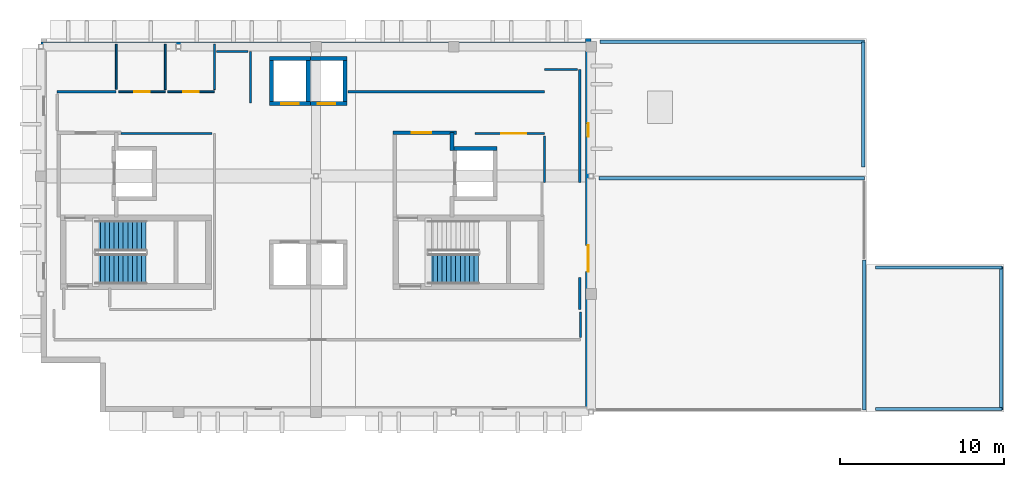
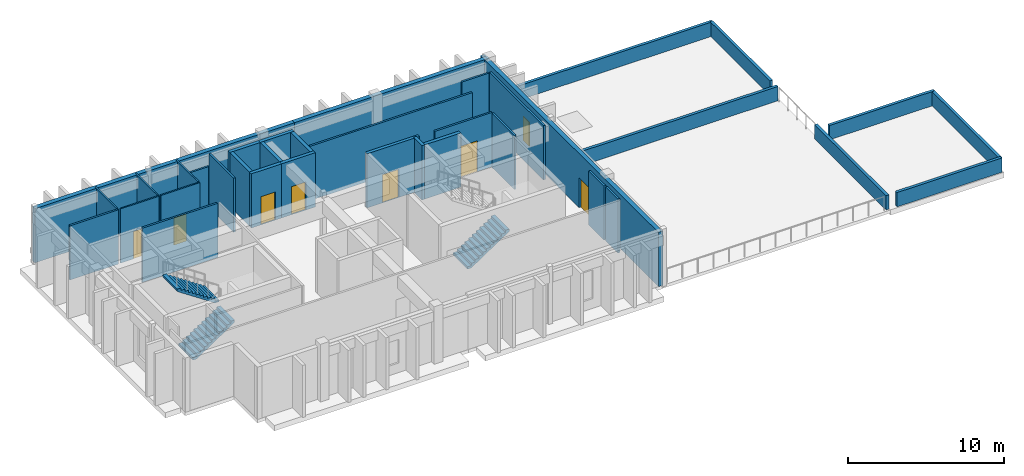
# One storey, part 4 of 7: 36 walls, 7 doors, 3 stair flights, 1 window, 8 openings, 2 elements without a shape of their own.
"""IFC4 building model written with IfcOpenShell, lengths in metres."""

from ifc_helpers import new_model, si_unit, direction, frame, frame_2d, origin, place, context, subcontext, project, spatial, polyline, rectangle, outline, extrude, material, layer, layer_set, type_object, element, fill, aggregate, save


model = new_model("IFC4")

# Units and contexts
model_context = context("Model", 3, precision=1e-05, world=origin(), true_north=direction((0.0, 1.0)))
body_context = subcontext(model_context, "Body", "Model", "MODEL_VIEW")
ifc_project = project(units=[si_unit("LENGTHUNIT", "METRE"), si_unit("AREAUNIT", "SQUARE_METRE"), si_unit("VOLUMEUNIT", "CUBIC_METRE"), si_unit("PLANEANGLEUNIT", "RADIAN"), si_unit("MASSUNIT", "GRAM", prefix="KILO")], contexts=[model_context])

# Site, building, storey
site_placement = place(None, origin())
site = spatial("IfcSite", under=ifc_project, at=site_placement, CompositionType="ELEMENT")
building_placement = place(site_placement, origin())
building = spatial("IfcBuilding", under=site, at=building_placement, Name="Quendrovan Civic Courthouse", CompositionType="ELEMENT")
storey_placement = place(building_placement, frame((0.0, 0.0, 40.199951171875)))
storey = spatial("IfcBuildingStorey", under=building, at=storey_placement, Name="L09", CompositionType="ELEMENT", Elevation=40.199951171875)

# Walls
ifc_material_1 = material(Name="Acoustic gypsum stud partition")
ifc_layer_1 = layer(ifc_material_1, 0.139892578125, Name="Acoustic gypsum stud partition")
ifc_layer_set_1 = layer_set([ifc_layer_1], Name="Acoustic gypsum stud partition")
wall_type_1 = type_object("IfcWallType", Name="WL-CHM-140", PredefinedType="PARTITIONING", material=ifc_layer_set_1)
wall_1_placement = place(storey_placement, frame((64.35009765625, 107.14990234375, 0.0), z_axis=(0.0, 0.0, 1.0), x_axis=(-1.0, 0.0, 0.0)))
element("IfcWall", 1, at=wall_1_placement, inside=storey, type_object=wall_type_1, Name="L09 Collegial Judges' Chambers Partition 0904", PredefinedType="PARTITIONING", context=body_context, shape_type="SweptSolid", body=[
    extrude(rectangle(XDim=12.0, YDim=0.139892578125, at=frame_2d((6.0, 0.0))), origin(), (0.0, 0.0, 1.0), 4.239990234375),
])
wall_2_placement = place(storey_placement, frame((66.5, 101.60009765625, 0.0), z_axis=(0.0, 0.0, 1.0), x_axis=(0.0, 1.0, 0.0)))
element("IfcWall", 2, at=wall_2_placement, inside=storey, type_object=wall_type_1, Name="L09 Collegial Judges' Chambers Partition 0906", PredefinedType="PARTITIONING", context=body_context, shape_type="SweptSolid", body=[
    extrude(rectangle(XDim=6.89990234375, YDim=0.139892578125, at=frame_2d((3.449951171875, 0.0))), origin(), (0.0, 0.0, 1.0), 4.239990234375),
])
wall_3_placement = place(storey_placement, frame((38.47998046875, 104.60009765625, 0.0), z_axis=(0.0, 0.0, 1.0), x_axis=(1.0, 0.0, 0.0)))
element("IfcWall", 3, at=wall_3_placement, inside=storey, type_object=wall_type_1, Name="L09 Collegial Judges' Chambers Partition 0908", PredefinedType="PARTITIONING", context=body_context, shape_type="SweptSolid", body=[
    extrude(rectangle(XDim=5.570068359375, YDim=0.139892578125, at=frame_2d((2.78515625, 0.0))), origin(), (0.0, 0.0, 1.0), 4.239990234375),
])

# Wall, opening, door
wall_4_placement = place(storey_placement, frame((60.10009765625, 104.60009765625, 0.0), z_axis=(0.0, 0.0, 1.0), x_axis=(1.0, 0.0, 0.0)))
wall_4 = element("IfcWall", 4, at=wall_4_placement, inside=storey, type_object=wall_type_1, Name="L09 Judicial Conference Room Partition 0909", PredefinedType="PARTITIONING", context=body_context, shape_type="SweptSolid", body=[
    extrude(rectangle(XDim=4.25, YDim=0.139892578125, at=frame_2d((2.125, 0.0))), origin(), (0.0, 0.0, 1.0), 4.239990234375),
])
opening_1_placement = place(wall_4_placement, frame((1.6201171875, 0.0, 0.0)))
opening_1 = element("IfcOpeningElement", 5, at=opening_1_placement, cuts=wall_4, Name="Opening D-L09-129", PredefinedType="OPENING", context=body_context, shape_type="SweptSolid", body=[
    extrude(rectangle(XDim=1.52001953125, YDim=2.39990234375, at=frame_2d((0.760009765625, 1.199951171875))), frame((0.0, 0.080078125, 0.0), z_axis=(0.0, -1.0, 0.0), x_axis=(1.0, 0.0, 0.0)), (0.0, 0.0, 1.0), 0.159912109375),
])
ifc_material_2 = material(Name="Acoustic timber double-leaf door", Category="wood")
door_type_1 = type_object("IfcDoorType", Name="DR-CONF-1520", OperationType="NOTDEFINED", PredefinedType="DOOR", material=ifc_material_2)
door_1_placement = place(opening_1_placement, origin())
door_1 = element("IfcDoor", 6, at=door_1_placement, inside=storey, type_object=door_type_1, Name="L09 Judicial Conference Room Door D-L09-129", OperationType="SINGLE_SWING_RIGHT", OverallHeight=2.39990234375, OverallWidth=1.52001953125, PredefinedType="DOOR", context=body_context, shape_type="SweptSolid", body=[
    extrude(rectangle(XDim=1.52001953125, YDim=2.39990234375, at=frame_2d((0.760009765625, 1.199951171875))), frame((0.0, 0.02490234375, 0.0), z_axis=(0.0, -1.0, 0.0), x_axis=(1.0, 0.0, 0.0)), (0.0, 0.0, 1.0), 0.050048828125),
])
fill(opening_1, door_1)

# Walls
wall_5_placement = place(storey_placement, frame((38.199951171875, 107.14990234375, 0.0), z_axis=(0.0, 0.0, 1.0), x_axis=(-1.0, 0.0, 0.0)))
element("IfcWall", 7, at=wall_5_placement, inside=storey, type_object=wall_type_1, Name="L09 Collegial Judges' Chambers Partition 0910", PredefinedType="PARTITIONING", context=body_context, shape_type="SweptSolid", body=[
    extrude(rectangle(XDim=3.599853515625, YDim=0.139892578125, at=frame_2d((1.7998046875, 0.0))), origin(), (0.0, 0.0, 1.0), 4.239990234375),
])
wall_6_placement = place(storey_placement, frame((46.39990234375, 106.449951171875, 0.0), z_axis=(0.0, 0.0, 1.0), x_axis=(0.0, 1.0, 0.0)))
element("IfcWall", 8, at=wall_6_placement, inside=storey, type_object=wall_type_1, Name="L09 Collegial Judges' Chambers Partition 0911", PredefinedType="PARTITIONING", context=body_context, shape_type="SweptSolid", body=[
    extrude(rectangle(XDim=3.150146484375, YDim=0.139892578125, at=frame_2d((1.5751953125, 0.0))), origin(), (0.0, 0.0, 1.0), 4.239990234375),
])
wall_7_placement = place(storey_placement, frame((64.35009765625, 104.449951171875, 0.0), z_axis=(0.0, 0.0, 1.0), x_axis=(0.0, -1.0, 0.0)))
element("IfcWall", 9, at=wall_7_placement, inside=storey, type_object=wall_type_1, Name="L09 Judicial Conference Room Partition 0914", PredefinedType="PARTITIONING", context=body_context, shape_type="SweptSolid", body=[
    extrude(rectangle(XDim=2.849853515625, YDim=0.139892578125, at=frame_2d((1.4248046875, 0.0))), origin(), (0.0, 0.0, 1.0), 4.239990234375),
])
wall_8_placement = place(storey_placement, frame((46.25, 109.60009765625, 0.0), z_axis=(0.0, 0.0, 1.0), x_axis=(-1.0, 0.0, 0.0)))
element("IfcWall", 10, at=wall_8_placement, inside=storey, type_object=wall_type_1, Name="L09 Collegial Judges' Chambers Partition 0919", PredefinedType="PARTITIONING", context=body_context, shape_type="SweptSolid", body=[
    extrude(rectangle(XDim=1.9150390625, YDim=0.139892578125, at=frame_2d((0.95751953125, 0.0))), origin(), (0.0, 0.0, 1.0), 3.300048828125),
])
wall_9_placement = place(storey_placement, frame((66.35009765625, 108.5, 0.0), z_axis=(0.0, 0.0, 1.0), x_axis=(-1.0, 0.0, 0.0)))
element("IfcWall", 11, at=wall_9_placement, inside=storey, type_object=wall_type_1, Name="L09 Collegial Judges' Chambers Partition 0920", PredefinedType="PARTITIONING", context=body_context, shape_type="SweptSolid", body=[
    extrude(rectangle(XDim=2.0, YDim=0.139892578125, at=frame_2d((1.0, 0.0))), origin(), (0.0, 0.0, 1.0), 4.239990234375),
])
wall_10_placement = place(storey_placement, frame((66.5, 93.85009765625, 0.0), z_axis=(0.0, 0.0, 1.0), x_axis=(0.0, 1.0, 0.0)))
element("IfcWall", 12, at=wall_10_placement, inside=storey, type_object=wall_type_1, Name="L09 Collegial Judges' Chambers Partition 0922", PredefinedType="PARTITIONING", context=body_context, shape_type="SweptSolid", body=[
    extrude(rectangle(XDim=1.949951171875, YDim=0.139892578125, at=frame_2d((0.97509765625, 0.0))), origin(), (0.0, 0.0, 1.0), 4.239990234375),
])
wall_11_placement = place(storey_placement, frame((66.550048828125, 92.14990234375, 0.0), z_axis=(0.0, 0.0, 1.0), x_axis=(0.0, 1.0, 0.0)))
element("IfcWall", 13, at=wall_11_placement, inside=storey, type_object=wall_type_1, Name="L09 Collegial Judges' Chambers Partition 0924", PredefinedType="PARTITIONING", context=body_context, shape_type="SweptSolid", body=[
    extrude(rectangle(XDim=1.558837890625, YDim=0.139892578125, at=frame_2d((0.779296875, 0.0))), origin(), (0.0, 0.0, 1.0), 4.239990234375),
])
ifc_material_3 = material(Name="Precast concrete C45/55", Category="concrete")
ifc_layer_2 = layer(ifc_material_3, 0.320068359375, Name="Precast concrete C45/55")
ifc_layer_set_2 = layer_set([ifc_layer_2], Name="Precast concrete C45/55")
wall_type_2 = type_object("IfcWallType", Name="WL-EXT-PC320", PredefinedType="SOLIDWALL", material=ifc_layer_set_2)
wall_12_placement = place(storey_placement, frame((52.800048828125, 110.02001953125, 0.0), z_axis=(0.0, 0.0, 1.0), x_axis=(1.0, 0.0, 0.0)))
element("IfcWall", 14, at=wall_12_placement, inside=storey, type_object=wall_type_2, Name="L09 Exterior Precast Concrete Wall 523", PredefinedType="SOLIDWALL", context=body_context, shape_type="SweptSolid", body=[
    extrude(rectangle(XDim=14.39990234375, YDim=0.320068359375, at=frame_2d((7.199951171875, 0.0))), origin(), (0.0, 0.0, 1.0), 4.239990234375),
])

# Wall, openings, door, window
wall_13_placement = place(storey_placement, frame((67.02001953125, 110.39990234375, 0.0), z_axis=(0.0, 0.0, 1.0), x_axis=(0.0, -1.0, 0.0)))
wall_13 = element("IfcWall", 15, at=wall_13_placement, inside=storey, type_object=wall_type_2, Name="L09 Exterior Precast Concrete Wall 524", PredefinedType="SOLIDWALL", context=body_context, shape_type="SweptSolid", body=[
    extrude(rectangle(XDim=22.7998046875, YDim=0.320068359375, at=frame_2d((11.39990234375, 0.0))), origin(), (0.0, 0.0, 1.0), 4.239990234375),
])
opening_2_placement = place(wall_13_placement, frame((12.626220703125, 0.0, 0.0)))
opening_2 = element("IfcOpeningElement", 16, at=opening_2_placement, cuts=wall_13, Name="Opening DT-L09-1", PredefinedType="OPENING", context=body_context, shape_type="SweptSolid", body=[
    extrude(rectangle(XDim=1.60009765625, YDim=2.35009765625, at=frame_2d((0.800048828125, 1.175048828125))), frame((0.0, 0.169921875, 0.0), z_axis=(0.0, -1.0, 0.0), x_axis=(1.0, 0.0, 0.0)), (0.0, 0.0, 1.0), 0.340087890625),
])
opening_3_placement = place(wall_13_placement, frame((5.18994140625, 0.0, 0.75)))
opening_3 = element("IfcOpeningElement", 17, at=opening_3_placement, cuts=wall_13, Name="Opening W06", PredefinedType="OPENING", context=body_context, shape_type="SweptSolid", body=[
    extrude(rectangle(XDim=0.820068359375, YDim=1.85009765625, at=frame_2d((0.41015625, 0.925048828125))), frame((0.0, 0.169921875, 0.0), z_axis=(0.0, -1.0, 0.0), x_axis=(1.0, 0.0, 0.0)), (0.0, 0.0, 1.0), 0.340087890625),
])
ifc_material_4 = material(Name="Bronze anodised aluminium and low-E glass", Category="aluminium")
door_type_2 = type_object("IfcDoorType", Name="DR-TER-1600", OperationType="NOTDEFINED", PredefinedType="DOOR", material=ifc_material_4)
door_2_placement = place(opening_2_placement, origin())
door_2 = element("IfcDoor", 18, at=door_2_placement, inside=storey, type_object=door_type_2, Name="L09 Judicial Terrace Door DT-L09-1", OperationType="SINGLE_SWING_LEFT", OverallHeight=2.35009765625, OverallWidth=1.60009765625, PredefinedType="DOOR", context=body_context, shape_type="SweptSolid", body=[
    extrude(rectangle(XDim=1.60009765625, YDim=2.35009765625, at=frame_2d((0.800048828125, 1.175048828125))), frame((0.0, 0.02490234375, 0.0), z_axis=(0.0, -1.0, 0.0), x_axis=(1.0, 0.0, 0.0)), (0.0, 0.0, 1.0), 0.050048828125),
])
fill(opening_2, door_2)
ifc_material_5 = material(Name="Laminated hurricane-impact low-E glass", Category="glass")
window_type = type_object("IfcWindowType", Name="WIN-SLT-06", PartitioningType="SINGLE_PANEL", PredefinedType="WINDOW", material=ifc_material_5)
window_placement = place(opening_3_placement, origin())
window = element("IfcWindow", 19, at=window_placement, inside=storey, type_object=window_type, Name="L09 Courtroom Shaded Slot Window 0060", OverallHeight=1.85009765625, OverallWidth=0.820068359375, PartitioningType="SINGLE_PANEL", PredefinedType="WINDOW", context=body_context, shape_type="SweptSolid", body=[
    extrude(rectangle(XDim=0.820068359375, YDim=1.85009765625, at=frame_2d((0.41015625, 0.925048828125))), frame((0.0, 0.030029296875, 0.0), z_axis=(0.0, -1.0, 0.0), x_axis=(1.0, 0.0, 0.0)), (0.0, 0.0, 1.0), 0.06005859375),
])
fill(opening_3, window)

# Wall
wall_14_placement = place(storey_placement, frame((33.60009765625, 110.02001953125, 0.0), z_axis=(0.0, 0.0, 1.0), x_axis=(1.0, 0.0, 0.0)))
element("IfcWall", 20, at=wall_14_placement, inside=storey, type_object=wall_type_2, Name="L09 Exterior Precast Concrete Wall 530", PredefinedType="SOLIDWALL", context=body_context, shape_type="SweptSolid", body=[
    extrude(rectangle(XDim=19.199951171875, YDim=0.320068359375, at=frame_2d((9.60009765625, 0.0))), origin(), (0.0, 0.0, 1.0), 4.239990234375),
])

# Wall, opening, door
ifc_material_6 = material(Name="Concrete C40/50", Category="concrete")
ifc_layer_3 = layer(ifc_material_6, 0.22998046875, Name="Concrete C40/50")
ifc_layer_set_3 = layer_set([ifc_layer_3], Name="Concrete C40/50")
wall_type_3 = type_object("IfcWallType", Name="WL-FFLOB-230", PredefinedType="PARTITIONING", material=ifc_layer_set_3)
wall_15_placement = place(storey_placement, frame((55.090087890625, 104.64990234375, 0.0), z_axis=(0.0, 0.0, 1.0), x_axis=(1.0, 0.0, 0.0)))
wall_15 = element("IfcWall", 21, at=wall_15_placement, inside=storey, type_object=wall_type_3, Name="L09 Firefighting Lift Lobby FL2 Wall N", PredefinedType="PARTITIONING", context=body_context, shape_type="SweptSolid", body=[
    extrude(rectangle(XDim=3.889892578125, YDim=0.22998046875, at=frame_2d((1.94482421875, 0.0))), origin(), (0.0, 0.0, 1.0), 4.239990234375),
])
opening_4_placement = place(wall_15_placement, frame((1.14990234375, 0.0, 0.0)))
opening_4 = element("IfcOpeningElement", 22, at=opening_4_placement, cuts=wall_15, Name="Opening DF-FL2-L09N", PredefinedType="OPENING", context=body_context, shape_type="SweptSolid", body=[
    extrude(rectangle(XDim=1.199951171875, YDim=2.199951171875, at=frame_2d((0.60009765625, 1.10009765625))), frame((0.0, 0.125, 0.0), z_axis=(0.0, -1.0, 0.0), x_axis=(1.0, 0.0, 0.0)), (0.0, 0.0, 1.0), 0.25),
])
ifc_material_7 = material(Name="Painted galvanized hollow-metal steel", Category="steel")
door_type_3 = type_object("IfcDoorType", Name="DR-FFLOB-1200", OperationType="NOTDEFINED", PredefinedType="DOOR", material=ifc_material_7)
door_3_placement = place(opening_4_placement, origin())
door_3 = element("IfcDoor", 23, at=door_3_placement, inside=storey, type_object=door_type_3, Name="L09 Firefighting Lobby FL2 Fire Door N", OperationType="SINGLE_SWING_LEFT", OverallHeight=2.199951171875, OverallWidth=1.199951171875, PredefinedType="DOOR", context=body_context, shape_type="SweptSolid", body=[
    extrude(rectangle(XDim=1.199951171875, YDim=2.199951171875, at=frame_2d((0.60009765625, 1.10009765625))), frame((0.0, 0.02490234375, 0.0), z_axis=(0.0, -1.0, 0.0), x_axis=(1.0, 0.0, 0.0)), (0.0, 0.0, 1.0), 0.050048828125),
])
fill(opening_4, door_3)

# Walls
wall_16_placement = place(storey_placement, frame((58.699951171875, 104.64990234375, 0.0), z_axis=(0.0, 0.0, 1.0), x_axis=(0.0, -1.0, 0.0)))
element("IfcWall", 24, at=wall_16_placement, inside=storey, type_object=wall_type_3, Name="L09 Firefighting Lift Lobby FL2 Wall EN", PredefinedType="PARTITIONING", context=body_context, shape_type="SweptSolid", body=[
    extrude(rectangle(XDim=1.099853515625, YDim=0.22998046875, at=frame_2d((0.5498046875, 0.0))), origin(), (0.0, 0.0, 1.0), 4.239990234375),
])
ifc_layer_4 = layer(ifc_material_3, 0.2099609375, Name="Precast concrete C45/55")
ifc_layer_set_4 = layer_set([ifc_layer_4], Name="Precast concrete C45/55")
wall_type_4 = type_object("IfcWallType", Name="WL-PARAPET-210", PredefinedType="PARAPET", material=ifc_layer_set_4)
wall_17_placement = place(storey_placement, frame((83.860107421875, 87.72998046875, 0.0), z_axis=(0.0, 0.0, 1.0), x_axis=(0.0, 1.0, 0.0)))
element("IfcWall", 25, at=wall_17_placement, inside=storey, type_object=wall_type_4, Name="L09 Terrace-to-Roof Dividing Parapet Wall 05", PredefinedType="PARAPET", context=body_context, shape_type="SweptSolid", body=[
    extrude(rectangle(XDim=9.158935546875, YDim=0.2099609375, at=frame_2d((4.57958984375, 0.0))), origin(), (0.0, 0.0, 1.0), 1.1201171875),
])
wall_18_placement = place(storey_placement, frame((83.8701171875, 101.860107421875, 0.0), z_axis=(0.0, 0.0, 1.0), x_axis=(-1.0, 0.0, 0.0)))
element("IfcWall", 26, at=wall_18_placement, inside=storey, type_object=wall_type_4, Name="L09 Terrace-to-Roof Dividing Parapet Wall 06", PredefinedType="PARAPET", context=body_context, shape_type="SweptSolid", body=[
    extrude(rectangle(XDim=16.190185546875, YDim=0.2099609375, at=frame_2d((8.09521484375, 0.0))), origin(), (0.0, 0.0, 1.0), 1.1201171875),
])
wall_19_placement = place(storey_placement, frame((92.219970703125, 96.47998046875, 0.0), z_axis=(0.0, 0.0, 1.0), x_axis=(0.0, -1.0, 0.0)))
element("IfcWall", 27, at=wall_19_placement, inside=storey, type_object=wall_type_4, Name="L09 Precast Roof Parapet Wall 67", PredefinedType="PARAPET", context=body_context, shape_type="SweptSolid", body=[
    extrude(rectangle(XDim=8.760009765625, YDim=0.2099609375, at=frame_2d((4.3798828125, 0.0))), origin(), (0.0, 0.0, 1.0), 1.1201171875),
])
for number, where, z_axis, x_axis, name in (
    (28, (92.280029296875, 87.780029296875, 0.0), (0.0, 0.0, 1.0), (-1.0, 0.0, 0.0), "L09 Precast Roof Parapet Wall 68"),
    (29, (84.5400390625, 96.419921875, 0.0), (0.0, 0.0, 1.0), (1.0, 0.0, 0.0), "L09 Precast Roof Parapet Wall 69"),
):
    element("IfcWall", number, at=place(storey_placement, frame(where, z_axis=z_axis, x_axis=x_axis)), inside=storey, type_object=wall_type_4, Name=name, PredefinedType="PARAPET", context=body_context, shape_type="SweptSolid", body=[
        extrude(rectangle(XDim=7.739990234375, YDim=0.2099609375, at=frame_2d((3.8701171875, 0.0))), origin(), (0.0, 0.0, 1.0), 1.1201171875),
    ])
wall_20_placement = place(storey_placement, frame((83.820068359375, 110.199951171875, 0.0), z_axis=(0.0, 0.0, 1.0), x_axis=(0.0, -1.0, 0.0)))
element("IfcWall", 30, at=wall_20_placement, inside=storey, type_object=wall_type_4, Name="L09 Precast Roof Parapet Wall 70", PredefinedType="PARAPET", context=body_context, shape_type="SweptSolid", body=[
    extrude(rectangle(XDim=7.659912109375, YDim=0.2099609375, at=frame_2d((3.830078125, 0.0))), origin(), (0.0, 0.0, 1.0), 1.1201171875),
])
wall_21_placement = place(storey_placement, frame((67.739990234375, 110.199951171875, 0.0), z_axis=(0.0, 0.0, 1.0), x_axis=(1.0, 0.0, 0.0)))
element("IfcWall", 31, at=wall_21_placement, inside=storey, type_object=wall_type_4, Name="L09 Precast Roof Parapet Wall 71", PredefinedType="PARAPET", context=body_context, shape_type="SweptSolid", body=[
    extrude(rectangle(XDim=16.139892578125, YDim=0.2099609375, at=frame_2d((8.06982421875, 0.0))), origin(), (0.0, 0.0, 1.0), 1.1201171875),
])

# Wall, opening, door
ifc_material_8 = material(Name="Concrete C45/55", Category="concrete")
ifc_layer_5 = layer(ifc_material_8, 0.25, Name="Concrete C45/55")
ifc_layer_set_5 = layer_set([ifc_layer_5], Name="Concrete C45/55")
wall_type_5 = type_object("IfcWallType", Name="WL-SHAFT-250", PredefinedType="SHEAR", material=ifc_layer_set_5)
wall_22_placement = place(storey_placement, frame((47.550048828125, 106.425048828125, 0.0), z_axis=(0.0, 0.0, 1.0), x_axis=(1.0, 0.0, 0.0)))
wall_22 = element("IfcWall", 32, at=wall_22_placement, inside=storey, type_object=wall_type_5, Name="L09 Lift Hoistway Wall JL1 -Y", PredefinedType="SHEAR", context=body_context, shape_type="SweptSolid", body=[
    extrude(rectangle(XDim=2.5, YDim=0.25, at=frame_2d((1.25, 0.0))), origin(), (0.0, 0.0, 1.0), 4.239990234375),
])
opening_5_placement = place(wall_22_placement, frame((0.719970703125, 0.0, 0.0)))
opening_5 = element("IfcOpeningElement", 33, at=opening_5_placement, cuts=wall_22, Name="Opening LD-JL1-L09", PredefinedType="OPENING", context=body_context, shape_type="SweptSolid", body=[
    extrude(rectangle(XDim=1.06005859375, YDim=2.199951171875, at=frame_2d((0.530029296875, 1.10009765625))), frame((0.0, 0.135009765625, 0.0), z_axis=(0.0, -1.0, 0.0), x_axis=(1.0, 0.0, 0.0)), (0.0, 0.0, 1.0), 0.27001953125),
])
ifc_material_9 = material(Name="Brushed bronze-anodised stainless steel", Category="steel")
door_type_4 = type_object("IfcDoorType", Name="DR-LIFT-LD-JL", OperationType="NOTDEFINED", PredefinedType="DOOR", material=ifc_material_9)
door_4_placement = place(opening_5_placement, origin())
door_4 = element("IfcDoor", 34, at=door_4_placement, inside=storey, type_object=door_type_4, Name="L09 Lift JL1 Sliding Landing Door", OperationType="SLIDING_TO_RIGHT", OverallHeight=2.199951171875, OverallWidth=1.06005859375, PredefinedType="DOOR", context=body_context, shape_type="SweptSolid", body=[
    extrude(rectangle(XDim=1.06005859375, YDim=2.199951171875, at=frame_2d((0.530029296875, 1.10009765625))), frame((0.0, 0.02490234375, 0.0), z_axis=(0.0, -1.0, 0.0), x_axis=(1.0, 0.0, 0.0)), (0.0, 0.0, 1.0), 0.050048828125),
])
fill(opening_5, door_4)

# Walls
for number, where, z_axis, x_axis, name in (
    (35, (50.050048828125, 109.175048828125, 0.0), (0.0, 0.0, 1.0), (-1.0, 0.0, 0.0), "L09 Lift Hoistway Wall JL1 +Y"),
    (36, (47.675048828125, 106.550048828125, 0.0), (0.0, 0.0, 1.0), (0.0, 1.0, 0.0), "L09 Lift Hoistway Wall JL1 -X"),
    (37, (49.925048828125, 109.050048828125, 0.0), (0.0, 0.0, 1.0), (0.0, -1.0, 0.0), "L09 Lift Hoistway Wall JL1 +X"),
):
    element("IfcWall", number, at=place(storey_placement, frame(where, z_axis=z_axis, x_axis=x_axis)), inside=storey, type_object=wall_type_5, Name=name, PredefinedType="SHEAR", context=body_context, shape_type="SweptSolid", body=[
        extrude(rectangle(XDim=2.5, YDim=0.25, at=frame_2d((1.25, 0.0))), origin(), (0.0, 0.0, 1.0), 4.239990234375),
    ])

# Wall, opening, door
wall_23_placement = place(storey_placement, frame((49.800048828125, 106.425048828125, 0.0), z_axis=(0.0, 0.0, 1.0), x_axis=(1.0, 0.0, 0.0)))
wall_23 = element("IfcWall", 38, at=wall_23_placement, inside=storey, type_object=wall_type_5, Name="L09 Lift Hoistway Wall JL2 -Y", PredefinedType="SHEAR", context=body_context, shape_type="SweptSolid", body=[
    extrude(rectangle(XDim=2.5, YDim=0.25, at=frame_2d((1.25, 0.0))), origin(), (0.0, 0.0, 1.0), 4.239990234375),
])
opening_6_placement = place(wall_23_placement, frame((0.719970703125, 0.0, 0.0)))
opening_6 = element("IfcOpeningElement", 39, at=opening_6_placement, cuts=wall_23, Name="Opening LD-JL2-L09", PredefinedType="OPENING", context=body_context, shape_type="SweptSolid", body=[
    extrude(rectangle(XDim=1.06005859375, YDim=2.199951171875, at=frame_2d((0.530029296875, 1.10009765625))), frame((0.0, 0.135009765625, 0.0), z_axis=(0.0, -1.0, 0.0), x_axis=(1.0, 0.0, 0.0)), (0.0, 0.0, 1.0), 0.27001953125),
])
door_5_placement = place(opening_6_placement, origin())
door_5 = element("IfcDoor", 40, at=door_5_placement, inside=storey, type_object=door_type_4, Name="L09 Lift JL2 Sliding Landing Door", OperationType="SLIDING_TO_RIGHT", OverallHeight=2.199951171875, OverallWidth=1.06005859375, PredefinedType="DOOR", context=body_context, shape_type="SweptSolid", body=[
    extrude(rectangle(XDim=1.06005859375, YDim=2.199951171875, at=frame_2d((0.530029296875, 1.10009765625))), frame((0.0, 0.02490234375, 0.0), z_axis=(0.0, -1.0, 0.0), x_axis=(1.0, 0.0, 0.0)), (0.0, 0.0, 1.0), 0.050048828125),
])
fill(opening_6, door_5)

# Walls
for number, where, z_axis, x_axis, name in (
    (41, (52.300048828125, 109.175048828125, 0.0), (0.0, 0.0, 1.0), (-1.0, 0.0, 0.0), "L09 Lift Hoistway Wall JL2 +Y"),
    (42, (52.175048828125, 109.050048828125, 0.0), (0.0, 0.0, 1.0), (0.0, -1.0, 0.0), "L09 Lift Hoistway Wall JL2 +X"),
):
    element("IfcWall", number, at=place(storey_placement, frame(where, z_axis=z_axis, x_axis=x_axis)), inside=storey, type_object=wall_type_5, Name=name, PredefinedType="SHEAR", context=body_context, shape_type="SweptSolid", body=[
        extrude(rectangle(XDim=2.5, YDim=0.25, at=frame_2d((1.25, 0.0))), origin(), (0.0, 0.0, 1.0), 4.239990234375),
    ])
wall_24_placement = place(storey_placement, frame((61.449951171875, 103.675048828125, 0.0), z_axis=(0.0, 0.0, 1.0), x_axis=(-1.0, 0.0, 0.0)))
element("IfcWall", 43, at=wall_24_placement, inside=storey, type_object=wall_type_5, Name="L09 Lift Hoistway Wall FL2 +Y", PredefinedType="SHEAR", context=body_context, shape_type="SweptSolid", body=[
    extrude(rectangle(XDim=2.699951171875, YDim=0.25, at=frame_2d((1.35009765625, 0.0))), origin(), (0.0, 0.0, 1.0), 4.239990234375),
])

# Wall, opening, door
ifc_material_10 = material(Name="Moisture-resistant tile-backer partition")
ifc_layer_6 = layer(ifc_material_10, 0.110107421875, Name="Moisture-resistant tile-backer partition")
ifc_layer_set_6 = layer_set([ifc_layer_6], Name="Moisture-resistant tile-backer partition")
wall_type_6 = type_object("IfcWallType", Name="WL-WET-110", PredefinedType="PARTITIONING", material=ifc_layer_set_6)
wall_25_placement = place(storey_placement, frame((41.199951171875, 107.14990234375, 0.0), z_axis=(0.0, 0.0, 1.0), x_axis=(-1.0, 0.0, 0.0)))
wall_25 = element("IfcWall", 44, at=wall_25_placement, inside=storey, type_object=wall_type_6, Name="L09 L09 Accessible WC Partition 0912", PredefinedType="PARTITIONING", context=body_context, shape_type="SweptSolid", body=[
    extrude(rectangle(XDim=2.849853515625, YDim=0.110107421875, at=frame_2d((1.4248046875, 0.0))), origin(), (0.0, 0.0, 1.0), 4.239990234375),
])
opening_7_placement = place(wall_25_placement, frame((0.945068359375, 0.0, 0.0)))
opening_7 = element("IfcOpeningElement", 45, at=opening_7_placement, cuts=wall_25, Name="Opening D-L09-126", PredefinedType="OPENING", context=body_context, shape_type="SweptSolid", body=[
    extrude(rectangle(XDim=0.9599609375, YDim=2.139892578125, at=frame_2d((0.47998046875, 1.06982421875))), frame((0.0, 0.06494140625, 0.0), z_axis=(0.0, -1.0, 0.0), x_axis=(1.0, 0.0, 0.0)), (0.0, 0.0, 1.0), 0.130126953125),
])
ifc_material_11 = material(Name="Moisture-resistant laminate timber door", Category="wood")
door_type_5 = type_object("IfcDoorType", Name="DR-WC-ACC-960", OperationType="NOTDEFINED", PredefinedType="DOOR", material=ifc_material_11)
door_6_placement = place(opening_7_placement, origin())
door_6 = element("IfcDoor", 46, at=door_6_placement, inside=storey, type_object=door_type_5, Name="L09 L09 Accessible WC Door D-L09-126", OperationType="SINGLE_SWING_LEFT", OverallHeight=2.139892578125, OverallWidth=0.9599609375, PredefinedType="DOOR", context=body_context, shape_type="SweptSolid", body=[
    extrude(rectangle(XDim=0.9599609375, YDim=2.139892578125, at=frame_2d((0.47998046875, 1.06982421875))), frame((0.0, 0.02490234375, 0.0), z_axis=(0.0, -1.0, 0.0), x_axis=(1.0, 0.0, 0.0)), (0.0, 0.0, 1.0), 0.050048828125),
])
fill(opening_7, door_6)

wall_26_placement = place(storey_placement, frame((44.199951171875, 107.14990234375, 0.0), z_axis=(0.0, 0.0, 1.0), x_axis=(-1.0, 0.0, 0.0)))
wall_26 = element("IfcWall", 47, at=wall_26_placement, inside=storey, type_object=wall_type_6, Name="L09 L09 Judicial and Public Restroom Partition 0913", PredefinedType="PARTITIONING", context=body_context, shape_type="SweptSolid", body=[
    extrude(rectangle(XDim=2.864990234375, YDim=0.110107421875, at=frame_2d((1.4326171875, 0.0))), origin(), (0.0, 0.0, 1.0), 4.239990234375),
])
opening_8_placement = place(wall_26_placement, frame((0.972412109375, 0.0, 0.0)))
opening_8 = element("IfcOpeningElement", 48, at=opening_8_placement, cuts=wall_26, Name="Opening D-L09-127", PredefinedType="OPENING", context=body_context, shape_type="SweptSolid", body=[
    extrude(rectangle(XDim=0.919921875, YDim=2.1201171875, at=frame_2d((0.4599609375, 1.06005859375))), frame((0.0, 0.06494140625, 0.0), z_axis=(0.0, -1.0, 0.0), x_axis=(1.0, 0.0, 0.0)), (0.0, 0.0, 1.0), 0.130126953125),
])
door_type_6 = type_object("IfcDoorType", Name="DR-WC-STD-920", OperationType="NOTDEFINED", PredefinedType="DOOR", material=ifc_material_11)
door_7_placement = place(opening_8_placement, origin())
door_7 = element("IfcDoor", 49, at=door_7_placement, inside=storey, type_object=door_type_6, Name="L09 L09 Judicial and Public Restroom Door D-L09-127", OperationType="SINGLE_SWING_RIGHT", OverallHeight=2.1201171875, OverallWidth=0.919921875, PredefinedType="DOOR", context=body_context, shape_type="SweptSolid", body=[
    extrude(rectangle(XDim=0.919921875, YDim=2.1201171875, at=frame_2d((0.4599609375, 1.06005859375))), frame((0.0, 0.02490234375, 0.0), z_axis=(0.0, -1.0, 0.0), x_axis=(1.0, 0.0, 0.0)), (0.0, 0.0, 1.0), 0.050048828125),
])
fill(opening_8, door_7)

# Walls
wall_27_placement = place(storey_placement, frame((41.199951171875, 110.050048828125, 0.0), z_axis=(0.0, 0.0, 1.0), x_axis=(0.0, -1.0, 0.0)))
element("IfcWall", 50, at=wall_27_placement, inside=storey, type_object=wall_type_6, Name="L09 L09 Accessible WC Partition 0915", PredefinedType="PARTITIONING", context=body_context, shape_type="SweptSolid", body=[
    extrude(rectangle(XDim=2.76513671875, YDim=0.110107421875, at=frame_2d((1.382568359375, 0.0))), origin(), (0.0, 0.0, 1.0), 4.239990234375),
])
wall_28_placement = place(storey_placement, frame((38.199951171875, 107.300048828125, 0.0), z_axis=(0.0, 0.0, 1.0), x_axis=(0.0, 1.0, 0.0)))
element("IfcWall", 51, at=wall_28_placement, inside=storey, type_object=wall_type_6, Name="L09 L09 Accessible WC Partition 0916", PredefinedType="PARTITIONING", context=body_context, shape_type="SweptSolid", body=[
    extrude(rectangle(XDim=2.75, YDim=0.110107421875, at=frame_2d((1.375, 0.0))), origin(), (0.0, 0.0, 1.0), 4.239990234375),
])
wall_29_placement = place(storey_placement, frame((44.199951171875, 110.050048828125, 0.0), z_axis=(0.0, 0.0, 1.0), x_axis=(0.0, -1.0, 0.0)))
element("IfcWall", 52, at=wall_29_placement, inside=storey, type_object=wall_type_6, Name="L09 L09 Judicial and Public Restroom Partition 0917", PredefinedType="PARTITIONING", context=body_context, shape_type="SweptSolid", body=[
    extrude(rectangle(XDim=2.76513671875, YDim=0.110107421875, at=frame_2d((1.382568359375, 0.0))), origin(), (0.0, 0.0, 1.0), 4.239990234375),
])

# Stair, stair flights
stair_type = type_object("IfcStairType", Name="STR-CORE-4500", PredefinedType="HALF_TURN_STAIR", material=ifc_material_6)
stair_1_placement = place(storey_placement, origin())
stair_1 = element("IfcStair", 53, at=stair_1_placement, inside=storey, type_object=stair_type, Name="L09 West Judicial and Public Exit Stair 1", PredefinedType="HALF_TURN_STAIR")
stair_flight_type = type_object("IfcStairFlightType", Name="FLT-CORE-4500", PredefinedType="STRAIGHT", material=ifc_material_6)
stair_flight_1_placement = place(storey_placement, frame((36.949951171875, 96.324951171875, 0.0), z_axis=(0.0, 0.0, 1.0), x_axis=(1.0, 0.0, 0.0)))
stair_flight_1 = element("IfcStairFlight", 54, at=stair_flight_1_placement, type_object=stair_flight_type, Name="ST1 flight 1", NumberOfRisers=12, NumberOfTreads=11, PredefinedType="STRAIGHT", RiserHeight=0.1875, TreadLength=0.28, context=body_context, shape_type="SweptSolid", body=[
    extrude(outline(polyline([(0.0, 0.0), (0.0, 0.1875), (0.280029296875, 0.1875), (0.280029296875, 0.375), (0.56005859375, 0.375), (0.56005859375, 0.5625), (0.840087890625, 0.5625), (0.840087890625, 0.75), (1.1201171875, 0.75), (1.1201171875, 0.9375), (1.39990234375, 0.9375), (1.39990234375, 1.125), (1.679931640625, 1.125), (1.679931640625, 1.3125), (1.9599609375, 1.3125), (1.9599609375, 1.5), (2.239990234375, 1.5), (2.239990234375, 1.6875), (2.52001953125, 1.6875), (2.52001953125, 1.875), (2.800048828125, 1.875), (2.800048828125, 2.0625), (3.080078125, 2.0625), (3.080078125, 2.25), (3.080078125, 1.882080078125), (0.26953125, 0.0), (0.0, 0.0)])), frame((0.0, 0.925048828125, 0.0), z_axis=(0.0, -1.0, 0.0), x_axis=(1.0, 0.0, 0.0)), (0.0, 0.0, 1.0), 1.85009765625),
])
stair_flight_2_placement = place(storey_placement, frame((40.030029296875, 98.35498046875, 2.25), z_axis=(0.0, 0.0, 1.0), x_axis=(-1.0, 0.0, 0.0)))
stair_flight_2 = element("IfcStairFlight", 55, at=stair_flight_2_placement, type_object=stair_flight_type, Name="ST1 flight 2", NumberOfRisers=12, NumberOfTreads=11, PredefinedType="STRAIGHT", RiserHeight=0.1875, TreadLength=0.28, context=body_context, shape_type="SweptSolid", body=[
    extrude(outline(polyline([(0.0, 0.0), (0.0, 0.1875), (0.280029296875, 0.1875), (0.280029296875, 0.375), (0.56005859375, 0.375), (0.56005859375, 0.5625), (0.840087890625, 0.5625), (0.840087890625, 0.75), (1.1201171875, 0.75), (1.1201171875, 0.9375), (1.39990234375, 0.9375), (1.39990234375, 1.125), (1.679931640625, 1.125), (1.679931640625, 1.3125), (1.9599609375, 1.3125), (1.9599609375, 1.5), (2.239990234375, 1.5), (2.239990234375, 1.6875), (2.52001953125, 1.6875), (2.52001953125, 1.875), (2.800048828125, 1.875), (2.800048828125, 2.0625), (3.080078125, 2.0625), (3.080078125, 2.25), (3.080078125, 1.882080078125), (0.26953125, 0.0), (0.0, 0.0)])), frame((0.0, 0.925048828125, 0.0), z_axis=(0.0, -1.0, 0.0), x_axis=(1.0, 0.0, 0.0)), (0.0, 0.0, 1.0), 1.85009765625),
])
aggregate(stair_1, [stair_flight_1, stair_flight_2])

# Stair, stair flight
stair_2_placement = place(storey_placement, origin())
stair_2 = element("IfcStair", 56, at=stair_2_placement, inside=storey, type_object=stair_type, Name="L09 Central Judicial and Firefighting Exit Stair 2", PredefinedType="HALF_TURN_STAIR")
stair_flight_3_placement = place(storey_placement, frame((57.25, 96.324951171875, 0.0), z_axis=(0.0, 0.0, 1.0), x_axis=(1.0, 0.0, 0.0)))
stair_flight_3 = element("IfcStairFlight", 57, at=stair_flight_3_placement, type_object=stair_flight_type, Name="ST2 flight 1", NumberOfRisers=12, NumberOfTreads=11, PredefinedType="STRAIGHT", RiserHeight=0.1875, TreadLength=0.28, context=body_context, shape_type="SweptSolid", body=[
    extrude(outline(polyline([(0.0, 0.0), (0.0, 0.1875), (0.280029296875, 0.1875), (0.280029296875, 0.375), (0.56005859375, 0.375), (0.56005859375, 0.5625), (0.840087890625, 0.5625), (0.840087890625, 0.75), (1.1201171875, 0.75), (1.1201171875, 0.9375), (1.39990234375, 0.9375), (1.39990234375, 1.125), (1.679931640625, 1.125), (1.679931640625, 1.3125), (1.9599609375, 1.3125), (1.9599609375, 1.5), (2.239990234375, 1.5), (2.239990234375, 1.6875), (2.52001953125, 1.6875), (2.52001953125, 1.875), (2.800048828125, 1.875), (2.800048828125, 2.0625), (3.080078125, 2.0625), (3.080078125, 2.25), (3.080078125, 1.882080078125), (0.26953125, 0.0), (0.0, 0.0)])), frame((0.0, 0.925048828125, 0.0), z_axis=(0.0, -1.0, 0.0), x_axis=(1.0, 0.0, 0.0)), (0.0, 0.0, 1.0), 1.85009765625),
])
aggregate(stair_2, [stair_flight_3])

save(model, "model.ifc")
